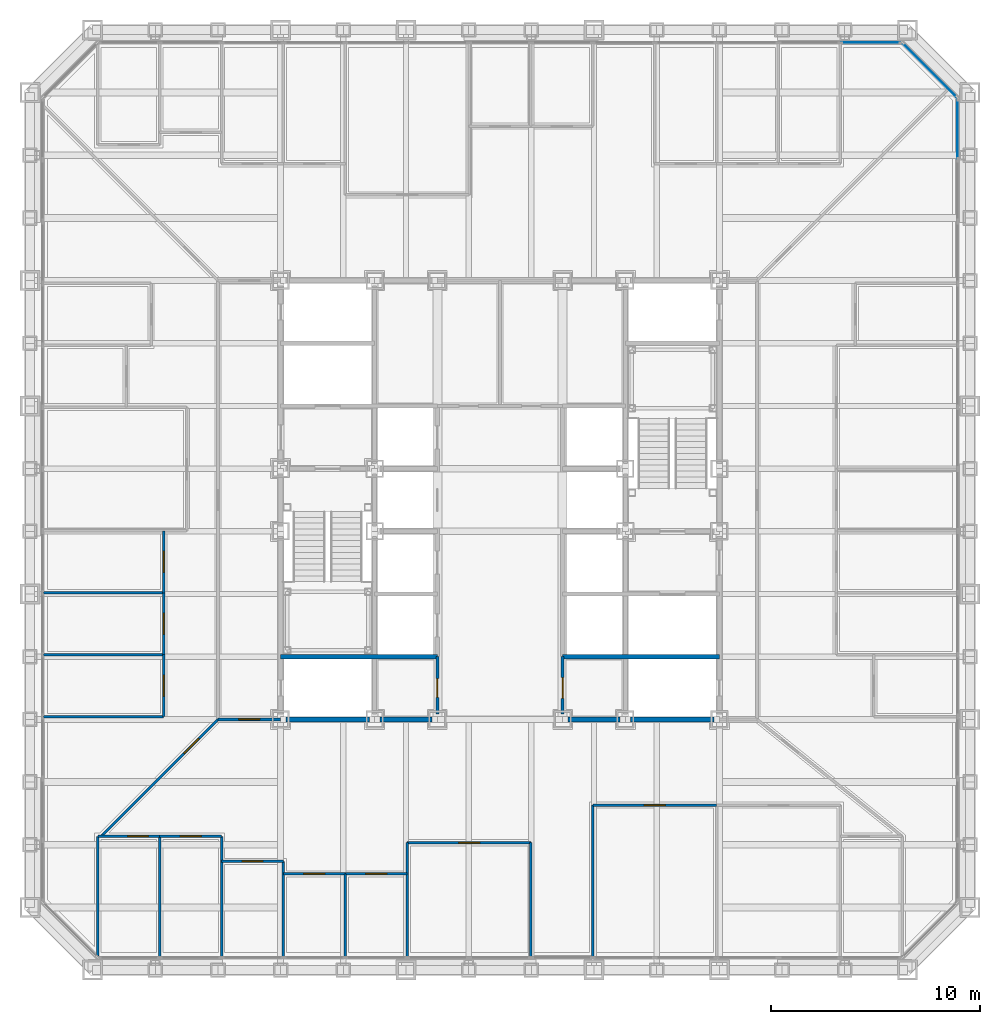
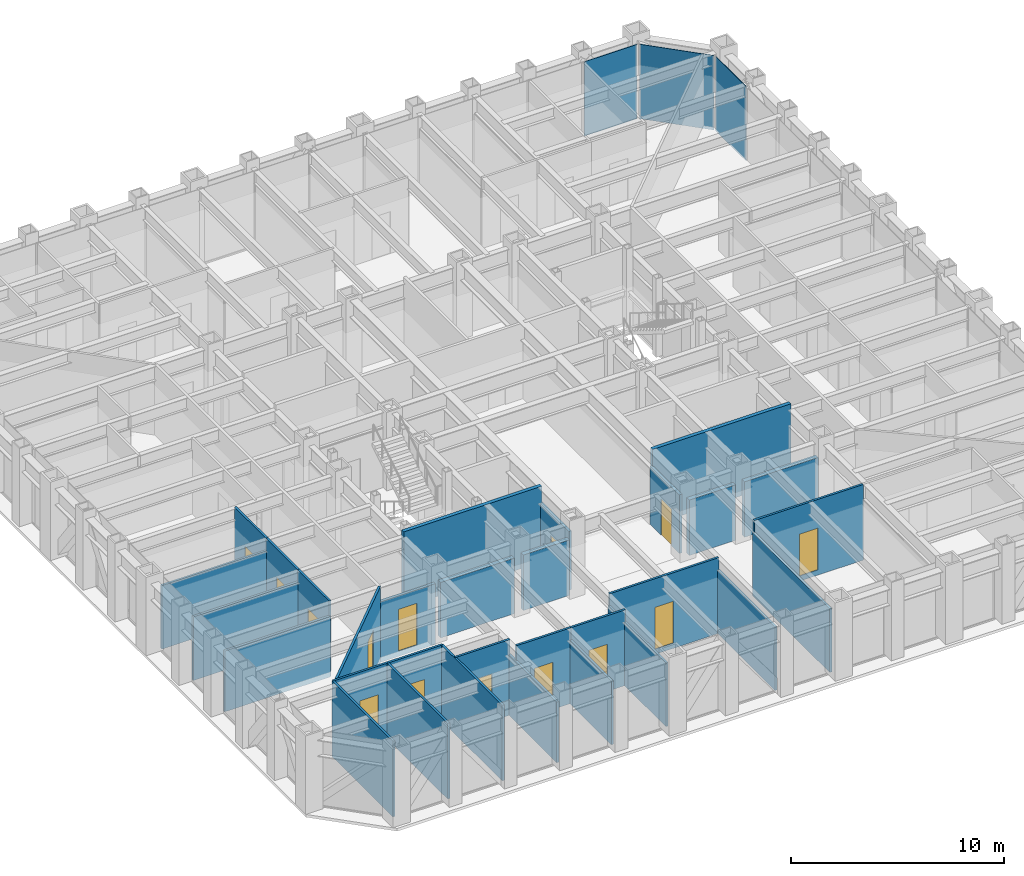
# One storey, part 8 of 17: 31 walls, 14 doors, 3 plates, 14 openings, 3 elements without a shape of their own.
"""IFC4 building model written with IfcOpenShell, lengths in metres."""

from ifc_helpers import new_model, si_unit, direction, frame, frame_2d, origin, origin_2d, place, context, subcontext, project, spatial, rectangle, extrude, material, layer, layer_set, type_object, element, fill, aggregate, save


model = new_model("IFC4")

# Units and contexts
model_context = context("Model", 3, precision=1e-05, world=origin(), true_north=direction((0.0, 1.0)))
body_context = subcontext(model_context, "Body", "Model", "MODEL_VIEW")
ifc_project = project(units=[si_unit("LENGTHUNIT", "METRE"), si_unit("AREAUNIT", "SQUARE_METRE"), si_unit("VOLUMEUNIT", "CUBIC_METRE"), si_unit("PLANEANGLEUNIT", "RADIAN"), si_unit("MASSUNIT", "GRAM", prefix="KILO")], contexts=[model_context])

# Site, building, storey
site_placement = place(None, origin())
site = spatial("IfcSite", under=ifc_project, at=site_placement, CompositionType="ELEMENT")
building_placement = place(site_placement, origin())
building = spatial("IfcBuilding", under=site, at=building_placement, Name="Chuquiago Exchange Tower", CompositionType="ELEMENT")
storey_placement = place(building_placement, frame((0.0, 0.0, 37.800048828125)))
storey = spatial("IfcBuildingStorey", under=building, at=storey_placement, Name="L07", CompositionType="ELEMENT", Elevation=37.800048828125)

# Curtain wall, plate
ifc_material_1 = material(Name="Aluminium curtain wall system", Category="aluminium")
ifc_layer_1 = layer(ifc_material_1, 0.25)
ifc_layer_set_1 = layer_set([ifc_layer_1], Name="CW1 trading floor curtain wall")
curtain_wall_type_1 = type_object("IfcCurtainWallType", Name="CW1 trading floor curtain wall", PredefinedType="NOTDEFINED", material=ifc_layer_set_1)
curtain_wall_1_placement = place(storey_placement, origin())
curtain_wall_1 = element("IfcCurtainWall", 1, at=curtain_wall_1_placement, inside=storey, type_object=curtain_wall_type_1, Name="CW1 curtain wall L07", PredefinedType="NOTDEFINED")
ifc_material_2 = material(Name="Insulated spandrel panel, pale anodised aluminium", Category="aluminium")
ifc_layer_2 = layer(ifc_material_2, 0.031982421875)
ifc_layer_set_2 = layer_set([ifc_layer_2], Name="CW1-P spandrel panel 32")
plate_type_1 = type_object("IfcPlateType", Name="CW1-P spandrel panel 32", PredefinedType="CURTAIN_PANEL", material=ifc_layer_set_2)
plate_1_placement = place(storey_placement, frame((44.39990234375, 40.251953125, -0.22509765625), z_axis=(0.0, 0.0, 1.0), x_axis=(0.0, 1.0, 0.0)))
plate_1 = element("IfcPlate", 2, at=plate_1_placement, type_object=plate_type_1, Name="CW1 panel 13.1", PredefinedType="CURTAIN_PANEL", context=body_context, shape_type="SweptSolid", body=[
    extrude(rectangle(XDim=2.849365234375, YDim=0.031982421875, at=origin_2d()), origin(), (0.0, 0.0, 1.0), 4.264892578125),
])
aggregate(curtain_wall_1, [plate_1])

curtain_wall_2_placement = place(storey_placement, origin())
curtain_wall_2 = element("IfcCurtainWall", 3, at=curtain_wall_2_placement, inside=storey, type_object=curtain_wall_type_1, Name="CW1 curtain wall L07", PredefinedType="NOTDEFINED")
plate_2_placement = place(storey_placement, frame((40.251953125, 44.39990234375, -0.22509765625), z_axis=(0.0, 0.0, 1.0), x_axis=(-1.0, 0.0, 0.0)))
plate_2 = element("IfcPlate", 4, at=plate_2_placement, type_object=plate_type_1, Name="CW1 panel 1.1", PredefinedType="CURTAIN_PANEL", context=body_context, shape_type="SweptSolid", body=[
    extrude(rectangle(XDim=2.849365234375, YDim=0.031982421875, at=origin_2d()), origin(), (0.0, 0.0, 1.0), 4.264892578125),
])
aggregate(curtain_wall_2, [plate_2])

ifc_material_3 = material(Name="Aluminium curtain wall system", Category="aluminium")
ifc_layer_3 = layer(ifc_material_3, 0.199951171875)
ifc_layer_set_3 = layer_set([ifc_layer_3], Name="CW3 facet curtain wall")
curtain_wall_type_2 = type_object("IfcCurtainWallType", Name="CW3 facet curtain wall", PredefinedType="NOTDEFINED", material=ifc_layer_set_3)
curtain_wall_3_placement = place(storey_placement, origin())
curtain_wall_3 = element("IfcCurtainWall", 5, at=curtain_wall_3_placement, inside=storey, type_object=curtain_wall_type_2, Name="CW3 curtain wall L07", PredefinedType="NOTDEFINED")
ifc_material_4 = material(Name="Insulated spandrel panel, pale anodised aluminium", Category="aluminium")
ifc_layer_4 = layer(ifc_material_4, 0.030029296875)
ifc_layer_set_4 = layer_set([ifc_layer_4], Name="CW3-P spandrel panel 30")
plate_type_2 = type_object("IfcPlateType", Name="CW3-P spandrel panel 30", PredefinedType="CURTAIN_PANEL", material=ifc_layer_set_4)
plate_3_placement = place(storey_placement, frame((43.07568359375, 43.07568359375, -0.235107421875), z_axis=(0.0, 0.0, 1.0), x_axis=(-0.707106781187, 0.707106781187, 0.0)))
plate_3 = element("IfcPlate", 6, at=plate_3_placement, type_object=plate_type_2, Name="CW3 panel 1.1", PredefinedType="CURTAIN_PANEL", context=body_context, shape_type="SweptSolid", body=[
    extrude(rectangle(XDim=3.615478515625, YDim=0.030029296875, at=origin_2d()), origin(), (0.0, 0.0, 1.0), 4.27490234375),
])
aggregate(curtain_wall_3, [plate_3])

# Walls
ifc_material_5 = material(Name="Concrete masonry, fully grouted", Category="masonry")
ifc_layer_5 = layer(ifc_material_5, 0.25)
ifc_layer_set_5 = layer_set([ifc_layer_5], Name="W1 core wall 250")
wall_type_1 = type_object("IfcWallType", Name="W1 core wall 250", PredefinedType="SOLIDWALL", material=ifc_layer_set_5)
wall_1_placement = place(storey_placement, frame((12.25, 12.0, 0.0), z_axis=(0.0, 0.0, 1.0), x_axis=(1.0, 0.0, 0.0)))
element("IfcWall", 7, at=wall_1_placement, inside=storey, type_object=wall_type_1, Name="CW-L07-01-0", PredefinedType="SOLIDWALL", context=body_context, shape_type="SweptSolid", body=[
    extrude(rectangle(XDim=4.0, YDim=0.25, at=frame_2d((2.0, 0.0))), origin(), (0.0, 0.0, 1.0), 3.181396484375),
])
for number, where, z_axis, x_axis, name in (
    (8, (16.75, 12.0, 0.0), (0.0, 0.0, 1.0), (1.0, 0.0, 0.0), "CW-L07-01-1"),
    (9, (25.75, 12.0, 0.0), (0.0, 0.0, 1.0), (1.0, 0.0, 0.0), "CW-L07-02-0"),
):
    element("IfcWall", number, at=place(storey_placement, frame(where, z_axis=z_axis, x_axis=x_axis)), inside=storey, type_object=wall_type_1, Name=name, PredefinedType="SOLIDWALL", context=body_context, shape_type="SweptSolid", body=[
        extrude(rectangle(XDim=2.5, YDim=0.25, at=frame_2d((1.25, 0.0))), origin(), (0.0, 0.0, 1.0), 3.181396484375),
    ])
wall_2_placement = place(storey_placement, frame((28.75, 12.0, 0.0), z_axis=(0.0, 0.0, 1.0), x_axis=(1.0, 0.0, 0.0)))
element("IfcWall", 10, at=wall_2_placement, inside=storey, type_object=wall_type_1, Name="CW-L07-02-1", PredefinedType="SOLIDWALL", context=body_context, shape_type="SweptSolid", body=[
    extrude(rectangle(XDim=4.0, YDim=0.25, at=frame_2d((2.0, 0.0))), origin(), (0.0, 0.0, 1.0), 3.181396484375),
])

# Wall, opening, door
ifc_material_6 = material(Name="Gypsum board on steel studs, acoustic insulation", Category="steel")
ifc_layer_6 = layer(ifc_material_6, 0.14990234375)
ifc_layer_set_6 = layer_set([ifc_layer_6], Name="W11 corridor wall 150")
wall_type_2 = type_object("IfcWallType", Name="W11 corridor wall 150", PredefinedType="PARTITIONING", material=ifc_layer_set_6)
wall_3_placement = place(storey_placement, frame((9.0, 12.0, -0.300048828125), z_axis=(0.0, 0.0, 1.0), x_axis=(1.0, 0.0, 0.0)))
wall_3 = element("IfcWall", 11, at=wall_3_placement, inside=storey, type_object=wall_type_2, Name="PW-L07-GWS0", PredefinedType="PARTITIONING", context=body_context, shape_type="SweptSolid", body=[
    extrude(rectangle(XDim=3.0, YDim=0.14990234375, at=frame_2d((1.5, 0.0))), origin(), (0.0, 0.0, 1.0), 3.4814453125),
])
opening_1_placement = place(wall_3_placement, frame((1.0, 0.0, 0.300048828125)))
opening_1 = element("IfcOpeningElement", 12, at=opening_1_placement, cuts=wall_3, Name="Opening L07-052", PredefinedType="OPENING", context=body_context, shape_type="SweptSolid", body=[
    extrude(rectangle(XDim=1.0, YDim=2.39990234375, at=frame_2d((0.5, 1.199951171875))), frame((0.0, 0.0849609375, 0.0), z_axis=(0.0, -1.0, 0.0), x_axis=(1.0, 0.0, 0.0)), (0.0, 0.0, 1.0), 0.169921875),
])
ifc_material_7 = material(Name="Timber door, laminate faced", Category="wood")
door_type_1 = type_object("IfcDoorType", Name="D9 room door 1000x2400", OperationType="SINGLE_SWING_LEFT", PredefinedType="DOOR", material=ifc_material_7)
door_1_placement = place(opening_1_placement, origin())
door_1 = element("IfcDoor", 13, at=door_1_placement, inside=storey, type_object=door_type_1, Name="Team area door", OperationType="SINGLE_SWING_RIGHT", OverallHeight=2.39990234375, OverallWidth=1.0, PredefinedType="DOOR", context=body_context, shape_type="SweptSolid", body=[
    extrude(rectangle(XDim=1.0, YDim=2.39990234375, at=frame_2d((0.5, 1.199951171875))), frame((0.0, 0.02490234375, 0.0), z_axis=(0.0, -1.0, 0.0), x_axis=(1.0, 0.0, 0.0)), (0.0, 0.0, 1.0), 0.050048828125),
])
fill(opening_1, door_1)

# Walls
ifc_material_8 = material(Name="Concrete masonry, fully grouted", Category="masonry")
ifc_layer_7 = layer(ifc_material_8, 0.199951171875)
ifc_layer_set_7 = layer_set([ifc_layer_7], Name="W2 shaft wall 200")
wall_type_3 = type_object("IfcWallType", Name="W2 shaft wall 200", PredefinedType="SOLIDWALL", material=ifc_layer_set_7)
for number, where, z_axis, x_axis, name in (
    (14, (12.0, 15.0, 0.0), (0.0, 0.0, 1.0), (1.0, 0.0, 0.0), "CW-L07-03-0"),
    (15, (25.5, 15.0, 0.0), (0.0, 0.0, 1.0), (1.0, 0.0, 0.0), "CW-L07-04-0"),
):
    element("IfcWall", number, at=place(storey_placement, frame(where, z_axis=z_axis, x_axis=x_axis)), inside=storey, type_object=wall_type_3, Name=name, PredefinedType="SOLIDWALL", context=body_context, shape_type="SweptSolid", body=[
        extrude(rectangle(XDim=7.5, YDim=0.199951171875, at=frame_2d((3.75, 0.0))), origin(), (0.0, 0.0, 1.0), 4.33984375),
    ])

# Wall, opening, door
ifc_material_9 = material(Name="Gypsum board on steel studs", Category="steel")
ifc_layer_8 = layer(ifc_material_9, 0.14990234375)
ifc_layer_set_8 = layer_set([ifc_layer_8], Name="W3 core partition 150")
wall_type_4 = type_object("IfcWallType", Name="W3 core partition 150", PredefinedType="PARTITIONING", material=ifc_layer_set_8)
wall_4_placement = place(storey_placement, frame((19.5, 12.25, 0.0), z_axis=(0.0, 0.0, 1.0), x_axis=(0.0, 1.0, 0.0)))
wall_4 = element("IfcWall", 16, at=wall_4_placement, inside=storey, type_object=wall_type_4, Name="CW-L07-18-0", PredefinedType="PARTITIONING", context=body_context, shape_type="SweptSolid", body=[
    extrude(rectangle(XDim=2.75, YDim=0.14990234375, at=frame_2d((1.375, 0.0))), origin(), (0.0, 0.0, 1.0), 3.364501953125),
])
opening_2_placement = place(wall_4_placement, frame((0.800048828125, 0.0, 0.0)))
opening_2 = element("IfcOpeningElement", 17, at=opening_2_placement, cuts=wall_4, Name="Opening L07-014", PredefinedType="OPENING", context=body_context, shape_type="SweptSolid", body=[
    extrude(rectangle(XDim=0.89990234375, YDim=2.10009765625, at=frame_2d((0.449951171875, 1.050048828125))), frame((0.0, 0.0849609375, 0.0), z_axis=(0.0, -1.0, 0.0), x_axis=(1.0, 0.0, 0.0)), (0.0, 0.0, 1.0), 0.169921875),
])
ifc_material_10 = material(Name="Timber door, laminate faced", Category="wood")
door_type_2 = type_object("IfcDoorType", Name="D7 toilet door 900x2100", OperationType="SINGLE_SWING_LEFT", PredefinedType="DOOR", material=ifc_material_10)
door_2_placement = place(opening_2_placement, frame((0.89990234375, 0.0, 0.0), z_axis=(0.0, 0.0, 1.0), x_axis=(-1.0, 0.0, 0.0)))
door_2 = element("IfcDoor", 18, at=door_2_placement, inside=storey, type_object=door_type_2, Name="Cleaner door", OperationType="SINGLE_SWING_RIGHT", OverallHeight=2.10009765625, OverallWidth=0.89990234375, PredefinedType="DOOR", context=body_context, shape_type="SweptSolid", body=[
    extrude(rectangle(XDim=0.89990234375, YDim=2.10009765625, at=frame_2d((0.449951171875, 1.050048828125))), frame((0.0, 0.02490234375, 0.0), z_axis=(0.0, -1.0, 0.0), x_axis=(1.0, 0.0, 0.0)), (0.0, 0.0, 1.0), 0.050048828125),
])
fill(opening_2, door_2)

wall_5_placement = place(storey_placement, frame((25.5, 12.25, 0.0), z_axis=(0.0, 0.0, 1.0), x_axis=(0.0, 1.0, 0.0)))
wall_5 = element("IfcWall", 19, at=wall_5_placement, inside=storey, type_object=wall_type_4, Name="CW-L07-21-0", PredefinedType="PARTITIONING", context=body_context, shape_type="SweptSolid", body=[
    extrude(rectangle(XDim=2.75, YDim=0.14990234375, at=frame_2d((1.375, 0.0))), origin(), (0.0, 0.0, 1.0), 3.364501953125),
])
opening_3_placement = place(wall_5_placement, frame((0.75, 0.0, 0.0)))
opening_3 = element("IfcOpeningElement", 20, at=opening_3_placement, cuts=wall_5, Name="Opening L07-013", PredefinedType="OPENING", context=body_context, shape_type="SweptSolid", body=[
    extrude(rectangle(XDim=1.0, YDim=2.10009765625, at=frame_2d((0.5, 1.050048828125))), frame((0.0, 0.0849609375, 0.0), z_axis=(0.0, -1.0, 0.0), x_axis=(1.0, 0.0, 0.0)), (0.0, 0.0, 1.0), 0.169921875),
])
ifc_material_11 = material(Name="Timber door, laminate faced", Category="wood")
door_type_3 = type_object("IfcDoorType", Name="D8 accessible toilet door 1000x2100", OperationType="SLIDING_TO_LEFT", PredefinedType="DOOR", material=ifc_material_11)
door_3_placement = place(opening_3_placement, origin())
door_3 = element("IfcDoor", 21, at=door_3_placement, inside=storey, type_object=door_type_3, Name="Accessible WC door", OperationType="SLIDING_TO_LEFT", OverallHeight=2.10009765625, OverallWidth=1.0, PredefinedType="DOOR", context=body_context, shape_type="SweptSolid", body=[
    extrude(rectangle(XDim=1.0, YDim=2.10009765625, at=frame_2d((0.5, 1.050048828125))), frame((0.0, 0.02490234375, 0.0), z_axis=(0.0, -1.0, 0.0), x_axis=(1.0, 0.0, 0.0)), (0.0, 0.0, 1.0), 0.050048828125),
])
fill(opening_3, door_3)

# Walls
ifc_material_12 = material(Name="Gypsum board on steel studs", Category="steel")
ifc_layer_9 = layer(ifc_material_12, 0.1201171875)
ifc_layer_set_9 = layer_set([ifc_layer_9], Name="W4 partition 120")
wall_type_5 = type_object("IfcWallType", Name="W4 partition 120", PredefinedType="PARTITIONING", material=ifc_layer_set_9)
wall_6_placement = place(storey_placement, frame((3.24853515625, 0.666015625, -0.300048828125), z_axis=(0.0, 0.0, 1.0), x_axis=(0.0, 1.0, 0.0)))
element("IfcWall", 22, at=wall_6_placement, inside=storey, type_object=wall_type_5, Name="PW-L07-S00325", PredefinedType="PARTITIONING", context=body_context, shape_type="SweptSolid", body=[
    extrude(rectangle(XDim=5.73388671875, YDim=0.1201171875, at=frame_2d((2.866943359375, 0.0))), origin(), (0.0, 0.0, 1.0), 4.340087890625),
])
for number, where, z_axis, x_axis, name in (
    (23, (6.210205078125, 0.657470703125, -0.300048828125), (0.0, 0.0, 1.0), (0.0, 1.0, 0.0), "PW-L07-S00621"),
    (24, (9.172119140625, 0.657470703125, -0.300048828125), (0.0, 0.0, 1.0), (0.0, 1.0, 0.0), "PW-L07-S00917"),
):
    element("IfcWall", number, at=place(storey_placement, frame(where, z_axis=z_axis, x_axis=x_axis)), inside=storey, type_object=wall_type_5, Name=name, PredefinedType="PARTITIONING", context=body_context, shape_type="SweptSolid", body=[
        extrude(rectangle(XDim=5.742431640625, YDim=0.1201171875, at=frame_2d((2.87109375, 0.0))), origin(), (0.0, 0.0, 1.0), 4.340087890625),
    ])
wall_7_placement = place(storey_placement, frame((12.1337890625, 0.657470703125, -0.300048828125), z_axis=(0.0, 0.0, 1.0), x_axis=(0.0, 1.0, 0.0)))
element("IfcWall", 25, at=wall_7_placement, inside=storey, type_object=wall_type_5, Name="PW-L07-S01213", PredefinedType="PARTITIONING", context=body_context, shape_type="SweptSolid", body=[
    extrude(rectangle(XDim=4.54248046875, YDim=0.1201171875, at=frame_2d((2.271240234375, 0.0))), origin(), (0.0, 0.0, 1.0), 3.4814453125),
])
wall_8_placement = place(storey_placement, frame((15.095703125, 0.657470703125, -0.300048828125), z_axis=(0.0, 0.0, 1.0), x_axis=(0.0, 1.0, 0.0)))
element("IfcWall", 26, at=wall_8_placement, inside=storey, type_object=wall_type_5, Name="PW-L07-S01510", PredefinedType="PARTITIONING", context=body_context, shape_type="SweptSolid", body=[
    extrude(rectangle(XDim=3.942626953125, YDim=0.1201171875, at=frame_2d((1.97119140625, 0.0))), origin(), (0.0, 0.0, 1.0), 3.646484375),
])
for number, where, z_axis, x_axis, name in (
    (27, (18.057373046875, 0.657470703125, -0.300048828125), (0.0, 0.0, 1.0), (0.0, 1.0, 0.0), "PW-L07-S01806"),
    (28, (23.98095703125, 0.657470703125, -0.300048828125), (0.0, 0.0, 1.0), (0.0, 1.0, 0.0), "PW-L07-S02398"),
):
    element("IfcWall", number, at=place(storey_placement, frame(where, z_axis=z_axis, x_axis=x_axis)), inside=storey, type_object=wall_type_5, Name=name, PredefinedType="PARTITIONING", context=body_context, shape_type="SweptSolid", body=[
        extrude(rectangle(XDim=5.442626953125, YDim=0.1201171875, at=frame_2d((2.72119140625, 0.0))), origin(), (0.0, 0.0, 1.0), 3.646484375),
    ])
wall_9_placement = place(storey_placement, frame((26.942626953125, 0.657470703125, -0.300048828125), z_axis=(0.0, 0.0, 1.0), x_axis=(0.0, 1.0, 0.0)))
element("IfcWall", 29, at=wall_9_placement, inside=storey, type_object=wall_type_5, Name="PW-L07-S02694", PredefinedType="PARTITIONING", context=body_context, shape_type="SweptSolid", body=[
    extrude(rectangle(XDim=7.242431640625, YDim=0.1201171875, at=frame_2d((3.62109375, 0.0))), origin(), (0.0, 0.0, 1.0), 3.646484375),
])

# Wall, opening, door
wall_10_placement = place(storey_placement, frame((3.24853515625, 6.39990234375, -0.300048828125), z_axis=(0.0, 0.0, 1.0), x_axis=(1.0, 0.0, 0.0)))
wall_10 = element("IfcWall", 30, at=wall_10_placement, inside=storey, type_object=wall_type_5, Name="PW-L07-SF00325", PredefinedType="PARTITIONING", context=body_context, shape_type="SweptSolid", body=[
    extrude(rectangle(XDim=2.961669921875, YDim=0.1201171875, at=frame_2d((1.48095703125, 0.0))), origin(), (0.0, 0.0, 1.0), 4.340087890625),
])
opening_4_placement = place(wall_10_placement, frame((1.42529296875, 0.0, 0.300048828125)))
opening_4 = element("IfcOpeningElement", 31, at=opening_4_placement, cuts=wall_10, Name="Opening L07-019", PredefinedType="OPENING", context=body_context, shape_type="SweptSolid", body=[
    extrude(rectangle(XDim=1.0, YDim=2.39990234375, at=frame_2d((0.5, 1.199951171875))), frame((0.0, 0.070068359375, 0.0), z_axis=(0.0, -1.0, 0.0), x_axis=(1.0, 0.0, 0.0)), (0.0, 0.0, 1.0), 0.14013671875),
])
door_4_placement = place(opening_4_placement, frame((1.0, 0.0, 0.0), z_axis=(0.0, 0.0, 1.0), x_axis=(-1.0, 0.0, 0.0)))
door_4 = element("IfcDoor", 32, at=door_4_placement, inside=storey, type_object=door_type_1, Name="Office door", OperationType="SINGLE_SWING_LEFT", OverallHeight=2.39990234375, OverallWidth=1.0, PredefinedType="DOOR", context=body_context, shape_type="SweptSolid", body=[
    extrude(rectangle(XDim=1.0, YDim=2.39990234375, at=frame_2d((0.5, 1.199951171875))), frame((0.0, 0.02490234375, 0.0), z_axis=(0.0, -1.0, 0.0), x_axis=(1.0, 0.0, 0.0)), (0.0, 0.0, 1.0), 0.050048828125),
])
fill(opening_4, door_4)

wall_11_placement = place(storey_placement, frame((6.210205078125, 6.39990234375, -0.300048828125), z_axis=(0.0, 0.0, 1.0), x_axis=(1.0, 0.0, 0.0)))
wall_11 = element("IfcWall", 33, at=wall_11_placement, inside=storey, type_object=wall_type_5, Name="PW-L07-SF00621", PredefinedType="PARTITIONING", context=body_context, shape_type="SweptSolid", body=[
    extrude(rectangle(XDim=2.9619140625, YDim=0.1201171875, at=frame_2d((1.48095703125, 0.0))), origin(), (0.0, 0.0, 1.0), 4.340087890625),
])
opening_5_placement = place(wall_11_placement, frame((0.98095703125, 0.0, 0.300048828125)))
opening_5 = element("IfcOpeningElement", 34, at=opening_5_placement, cuts=wall_11, Name="Opening L07-020", PredefinedType="OPENING", context=body_context, shape_type="SweptSolid", body=[
    extrude(rectangle(XDim=1.0, YDim=2.39990234375, at=frame_2d((0.5, 1.199951171875))), frame((0.0, 0.070068359375, 0.0), z_axis=(0.0, -1.0, 0.0), x_axis=(1.0, 0.0, 0.0)), (0.0, 0.0, 1.0), 0.14013671875),
])
door_5_placement = place(opening_5_placement, frame((1.0, 0.0, 0.0), z_axis=(0.0, 0.0, 1.0), x_axis=(-1.0, 0.0, 0.0)))
door_5 = element("IfcDoor", 35, at=door_5_placement, inside=storey, type_object=door_type_1, Name="Office door", OperationType="SINGLE_SWING_RIGHT", OverallHeight=2.39990234375, OverallWidth=1.0, PredefinedType="DOOR", context=body_context, shape_type="SweptSolid", body=[
    extrude(rectangle(XDim=1.0, YDim=2.39990234375, at=frame_2d((0.5, 1.199951171875))), frame((0.0, 0.02490234375, 0.0), z_axis=(0.0, -1.0, 0.0), x_axis=(1.0, 0.0, 0.0)), (0.0, 0.0, 1.0), 0.050048828125),
])
fill(opening_5, door_5)

wall_12_placement = place(storey_placement, frame((9.172119140625, 5.199951171875, -0.300048828125), z_axis=(0.0, 0.0, 1.0), x_axis=(1.0, 0.0, 0.0)))
wall_12 = element("IfcWall", 36, at=wall_12_placement, inside=storey, type_object=wall_type_5, Name="PW-L07-SF00917", PredefinedType="PARTITIONING", context=body_context, shape_type="SweptSolid", body=[
    extrude(rectangle(XDim=2.961669921875, YDim=0.1201171875, at=frame_2d((1.48095703125, 0.0))), origin(), (0.0, 0.0, 1.0), 4.340087890625),
])
opening_6_placement = place(wall_12_placement, frame((0.98095703125, 0.0, 0.300048828125)))
opening_6 = element("IfcOpeningElement", 37, at=opening_6_placement, cuts=wall_12, Name="Opening L07-021", PredefinedType="OPENING", context=body_context, shape_type="SweptSolid", body=[
    extrude(rectangle(XDim=1.0, YDim=2.39990234375, at=frame_2d((0.5, 1.199951171875))), frame((0.0, 0.070068359375, 0.0), z_axis=(0.0, -1.0, 0.0), x_axis=(1.0, 0.0, 0.0)), (0.0, 0.0, 1.0), 0.14013671875),
])
door_6_placement = place(opening_6_placement, frame((1.0, 0.0, 0.0), z_axis=(0.0, 0.0, 1.0), x_axis=(-1.0, 0.0, 0.0)))
door_6 = element("IfcDoor", 38, at=door_6_placement, inside=storey, type_object=door_type_1, Name="Pantry door", OperationType="SINGLE_SWING_LEFT", OverallHeight=2.39990234375, OverallWidth=1.0, PredefinedType="DOOR", context=body_context, shape_type="SweptSolid", body=[
    extrude(rectangle(XDim=1.0, YDim=2.39990234375, at=frame_2d((0.5, 1.199951171875))), frame((0.0, 0.02490234375, 0.0), z_axis=(0.0, -1.0, 0.0), x_axis=(1.0, 0.0, 0.0)), (0.0, 0.0, 1.0), 0.050048828125),
])
fill(opening_6, door_6)

wall_13_placement = place(storey_placement, frame((12.1337890625, 4.60009765625, -0.300048828125), z_axis=(0.0, 0.0, 1.0), x_axis=(1.0, 0.0, 0.0)))
wall_13 = element("IfcWall", 39, at=wall_13_placement, inside=storey, type_object=wall_type_5, Name="PW-L07-SF01213", PredefinedType="PARTITIONING", context=body_context, shape_type="SweptSolid", body=[
    extrude(rectangle(XDim=2.9619140625, YDim=0.1201171875, at=frame_2d((1.48095703125, 0.0))), origin(), (0.0, 0.0, 1.0), 4.340087890625),
])
opening_7_placement = place(wall_13_placement, frame((0.98095703125, 0.0, 0.300048828125)))
opening_7 = element("IfcOpeningElement", 40, at=opening_7_placement, cuts=wall_13, Name="Opening L07-022", PredefinedType="OPENING", context=body_context, shape_type="SweptSolid", body=[
    extrude(rectangle(XDim=1.0, YDim=2.39990234375, at=frame_2d((0.5, 1.199951171875))), frame((0.0, 0.070068359375, 0.0), z_axis=(0.0, -1.0, 0.0), x_axis=(1.0, 0.0, 0.0)), (0.0, 0.0, 1.0), 0.14013671875),
])
ifc_material_13 = material(Name="Timber frame door, full height glazed panel", Category="wood")
door_type_4 = type_object("IfcDoorType", Name="D14 glazed meeting room door 1000x2400", OperationType="SINGLE_SWING_LEFT", PredefinedType="DOOR", material=ifc_material_13)
door_7_placement = place(opening_7_placement, frame((1.0, 0.0, 0.0), z_axis=(0.0, 0.0, 1.0), x_axis=(-1.0, 0.0, 0.0)))
door_7 = element("IfcDoor", 41, at=door_7_placement, inside=storey, type_object=door_type_4, Name="Focus room door", OperationType="SINGLE_SWING_LEFT", OverallHeight=2.39990234375, OverallWidth=1.0, PredefinedType="DOOR", context=body_context, shape_type="SweptSolid", body=[
    extrude(rectangle(XDim=1.0, YDim=2.39990234375, at=frame_2d((0.5, 1.199951171875))), frame((0.0, 0.02490234375, 0.0), z_axis=(0.0, -1.0, 0.0), x_axis=(1.0, 0.0, 0.0)), (0.0, 0.0, 1.0), 0.050048828125),
])
fill(opening_7, door_7)

wall_14_placement = place(storey_placement, frame((15.095703125, 4.60009765625, -0.300048828125), z_axis=(0.0, 0.0, 1.0), x_axis=(1.0, 0.0, 0.0)))
wall_14 = element("IfcWall", 42, at=wall_14_placement, inside=storey, type_object=wall_type_5, Name="PW-L07-SF01510", PredefinedType="PARTITIONING", context=body_context, shape_type="SweptSolid", body=[
    extrude(rectangle(XDim=2.961669921875, YDim=0.1201171875, at=frame_2d((1.48095703125, 0.0))), origin(), (0.0, 0.0, 1.0), 4.340087890625),
])
opening_8_placement = place(wall_14_placement, frame((0.98095703125, 0.0, 0.300048828125)))
opening_8 = element("IfcOpeningElement", 43, at=opening_8_placement, cuts=wall_14, Name="Opening L07-023", PredefinedType="OPENING", context=body_context, shape_type="SweptSolid", body=[
    extrude(rectangle(XDim=1.0, YDim=2.39990234375, at=frame_2d((0.5, 1.199951171875))), frame((0.0, 0.070068359375, 0.0), z_axis=(0.0, -1.0, 0.0), x_axis=(1.0, 0.0, 0.0)), (0.0, 0.0, 1.0), 0.14013671875),
])
door_8_placement = place(opening_8_placement, frame((1.0, 0.0, 0.0), z_axis=(0.0, 0.0, 1.0), x_axis=(-1.0, 0.0, 0.0)))
door_8 = element("IfcDoor", 44, at=door_8_placement, inside=storey, type_object=door_type_4, Name="Focus room door", OperationType="SINGLE_SWING_RIGHT", OverallHeight=2.39990234375, OverallWidth=1.0, PredefinedType="DOOR", context=body_context, shape_type="SweptSolid", body=[
    extrude(rectangle(XDim=1.0, YDim=2.39990234375, at=frame_2d((0.5, 1.199951171875))), frame((0.0, 0.02490234375, 0.0), z_axis=(0.0, -1.0, 0.0), x_axis=(1.0, 0.0, 0.0)), (0.0, 0.0, 1.0), 0.050048828125),
])
fill(opening_8, door_8)

wall_15_placement = place(storey_placement, frame((18.057373046875, 6.10009765625, -0.300048828125), z_axis=(0.0, 0.0, 1.0), x_axis=(1.0, 0.0, 0.0)))
wall_15 = element("IfcWall", 45, at=wall_15_placement, inside=storey, type_object=wall_type_5, Name="PW-L07-SF01806", PredefinedType="PARTITIONING", context=body_context, shape_type="SweptSolid", body=[
    extrude(rectangle(XDim=5.923583984375, YDim=0.1201171875, at=frame_2d((2.9619140625, 0.0))), origin(), (0.0, 0.0, 1.0), 4.340087890625),
])
opening_9_placement = place(wall_15_placement, frame((2.461669921875, 0.0, 0.300048828125)))
opening_9 = element("IfcOpeningElement", 46, at=opening_9_placement, cuts=wall_15, Name="Opening L07-024", PredefinedType="OPENING", context=body_context, shape_type="SweptSolid", body=[
    extrude(rectangle(XDim=1.0, YDim=2.39990234375, at=frame_2d((0.5, 1.199951171875))), frame((0.0, 0.070068359375, 0.0), z_axis=(0.0, -1.0, 0.0), x_axis=(1.0, 0.0, 0.0)), (0.0, 0.0, 1.0), 0.14013671875),
])
door_9_placement = place(opening_9_placement, frame((1.0, 0.0, 0.0), z_axis=(0.0, 0.0, 1.0), x_axis=(-1.0, 0.0, 0.0)))
door_9 = element("IfcDoor", 47, at=door_9_placement, inside=storey, type_object=door_type_4, Name="Meeting room door", OperationType="SINGLE_SWING_RIGHT", OverallHeight=2.39990234375, OverallWidth=1.0, PredefinedType="DOOR", context=body_context, shape_type="SweptSolid", body=[
    extrude(rectangle(XDim=1.0, YDim=2.39990234375, at=frame_2d((0.5, 1.199951171875))), frame((0.0, 0.02490234375, 0.0), z_axis=(0.0, -1.0, 0.0), x_axis=(1.0, 0.0, 0.0)), (0.0, 0.0, 1.0), 0.050048828125),
])
fill(opening_9, door_9)

wall_16_placement = place(storey_placement, frame((26.942626953125, 7.89990234375, -0.300048828125), z_axis=(0.0, 0.0, 1.0), x_axis=(1.0, 0.0, 0.0)))
wall_16 = element("IfcWall", 48, at=wall_16_placement, inside=storey, type_object=wall_type_5, Name="PW-L07-SF02694", PredefinedType="PARTITIONING", context=body_context, shape_type="SweptSolid", body=[
    extrude(rectangle(XDim=5.923583984375, YDim=0.1201171875, at=frame_2d((2.9619140625, 0.0))), origin(), (0.0, 0.0, 1.0), 4.340087890625),
])
opening_10_placement = place(wall_16_placement, frame((2.4619140625, 0.0, 0.300048828125)))
opening_10 = element("IfcOpeningElement", 49, at=opening_10_placement, cuts=wall_16, Name="Opening L07-025", PredefinedType="OPENING", context=body_context, shape_type="SweptSolid", body=[
    extrude(rectangle(XDim=1.0, YDim=2.39990234375, at=frame_2d((0.5, 1.199951171875))), frame((0.0, 0.070068359375, 0.0), z_axis=(0.0, -1.0, 0.0), x_axis=(1.0, 0.0, 0.0)), (0.0, 0.0, 1.0), 0.14013671875),
])
door_10_placement = place(opening_10_placement, frame((1.0, 0.0, 0.0), z_axis=(0.0, 0.0, 1.0), x_axis=(-1.0, 0.0, 0.0)))
door_10 = element("IfcDoor", 50, at=door_10_placement, inside=storey, type_object=door_type_1, Name="Risk management office door", OperationType="SINGLE_SWING_RIGHT", OverallHeight=2.39990234375, OverallWidth=1.0, PredefinedType="DOOR", context=body_context, shape_type="SweptSolid", body=[
    extrude(rectangle(XDim=1.0, YDim=2.39990234375, at=frame_2d((0.5, 1.199951171875))), frame((0.0, 0.02490234375, 0.0), z_axis=(0.0, -1.0, 0.0), x_axis=(1.0, 0.0, 0.0)), (0.0, 0.0, 1.0), 0.050048828125),
])
fill(opening_10, door_10)

# Walls
wall_17_placement = place(storey_placement, frame((0.657470703125, 12.1337890625, -0.300048828125), z_axis=(0.0, 0.0, 1.0), x_axis=(1.0, 0.0, 0.0)))
element("IfcWall", 51, at=wall_17_placement, inside=storey, type_object=wall_type_5, Name="PW-L07-W01213", PredefinedType="PARTITIONING", context=body_context, shape_type="SweptSolid", body=[
    extrude(rectangle(XDim=5.742431640625, YDim=0.1201171875, at=frame_2d((2.87109375, 0.0))), origin(), (0.0, 0.0, 1.0), 3.4814453125),
])
for number, where, z_axis, x_axis, name in (
    (52, (0.657470703125, 15.095703125, -0.300048828125), (0.0, 0.0, 1.0), (1.0, 0.0, 0.0), "PW-L07-W01510"),
    (53, (0.657470703125, 18.057373046875, -0.300048828125), (0.0, 0.0, 1.0), (1.0, 0.0, 0.0), "PW-L07-W01806"),
):
    element("IfcWall", number, at=place(storey_placement, frame(where, z_axis=z_axis, x_axis=x_axis)), inside=storey, type_object=wall_type_5, Name=name, PredefinedType="PARTITIONING", context=body_context, shape_type="SweptSolid", body=[
        extrude(rectangle(XDim=5.742431640625, YDim=0.1201171875, at=frame_2d((2.87109375, 0.0))), origin(), (0.0, 0.0, 1.0), 3.646484375),
    ])

# Wall, opening, door
wall_18_placement = place(storey_placement, frame((6.39990234375, 12.1337890625, -0.300048828125), z_axis=(0.0, 0.0, 1.0), x_axis=(0.0, 1.0, 0.0)))
wall_18 = element("IfcWall", 54, at=wall_18_placement, inside=storey, type_object=wall_type_5, Name="PW-L07-WF01213", PredefinedType="PARTITIONING", context=body_context, shape_type="SweptSolid", body=[
    extrude(rectangle(XDim=2.9619140625, YDim=0.1201171875, at=frame_2d((1.48095703125, 0.0))), origin(), (0.0, 0.0, 1.0), 4.340087890625),
])
opening_11_placement = place(wall_18_placement, frame((0.98095703125, 0.0, 0.300048828125)))
opening_11 = element("IfcOpeningElement", 55, at=opening_11_placement, cuts=wall_18, Name="Opening L07-044", PredefinedType="OPENING", context=body_context, shape_type="SweptSolid", body=[
    extrude(rectangle(XDim=1.0, YDim=2.39990234375, at=frame_2d((0.5, 1.199951171875))), frame((0.0, 0.070068359375, 0.0), z_axis=(0.0, -1.0, 0.0), x_axis=(1.0, 0.0, 0.0)), (0.0, 0.0, 1.0), 0.14013671875),
])
door_11_placement = place(opening_11_placement, origin())
door_11 = element("IfcDoor", 56, at=door_11_placement, inside=storey, type_object=door_type_4, Name="Meeting room door", OperationType="SINGLE_SWING_RIGHT", OverallHeight=2.39990234375, OverallWidth=1.0, PredefinedType="DOOR", context=body_context, shape_type="SweptSolid", body=[
    extrude(rectangle(XDim=1.0, YDim=2.39990234375, at=frame_2d((0.5, 1.199951171875))), frame((0.0, 0.02490234375, 0.0), z_axis=(0.0, -1.0, 0.0), x_axis=(1.0, 0.0, 0.0)), (0.0, 0.0, 1.0), 0.050048828125),
])
fill(opening_11, door_11)

wall_19_placement = place(storey_placement, frame((6.39990234375, 15.095703125, -0.300048828125), z_axis=(0.0, 0.0, 1.0), x_axis=(0.0, 1.0, 0.0)))
wall_19 = element("IfcWall", 57, at=wall_19_placement, inside=storey, type_object=wall_type_5, Name="PW-L07-WF01510", PredefinedType="PARTITIONING", context=body_context, shape_type="SweptSolid", body=[
    extrude(rectangle(XDim=2.961669921875, YDim=0.1201171875, at=frame_2d((1.48095703125, 0.0))), origin(), (0.0, 0.0, 1.0), 4.340087890625),
])
opening_12_placement = place(wall_19_placement, frame((0.98095703125, 0.0, 0.300048828125)))
opening_12 = element("IfcOpeningElement", 58, at=opening_12_placement, cuts=wall_19, Name="Opening L07-045", PredefinedType="OPENING", context=body_context, shape_type="SweptSolid", body=[
    extrude(rectangle(XDim=1.0, YDim=2.39990234375, at=frame_2d((0.5, 1.199951171875))), frame((0.0, 0.070068359375, 0.0), z_axis=(0.0, -1.0, 0.0), x_axis=(1.0, 0.0, 0.0)), (0.0, 0.0, 1.0), 0.14013671875),
])
door_12_placement = place(opening_12_placement, origin())
door_12 = element("IfcDoor", 59, at=door_12_placement, inside=storey, type_object=door_type_4, Name="Meeting room door", OperationType="SINGLE_SWING_LEFT", OverallHeight=2.39990234375, OverallWidth=1.0, PredefinedType="DOOR", context=body_context, shape_type="SweptSolid", body=[
    extrude(rectangle(XDim=1.0, YDim=2.39990234375, at=frame_2d((0.5, 1.199951171875))), frame((0.0, 0.02490234375, 0.0), z_axis=(0.0, -1.0, 0.0), x_axis=(1.0, 0.0, 0.0)), (0.0, 0.0, 1.0), 0.050048828125),
])
fill(opening_12, door_12)

wall_20_placement = place(storey_placement, frame((6.39990234375, 18.057373046875, -0.300048828125), z_axis=(0.0, 0.0, 1.0), x_axis=(0.0, 1.0, 0.0)))
wall_20 = element("IfcWall", 60, at=wall_20_placement, inside=storey, type_object=wall_type_5, Name="PW-L07-WF01806", PredefinedType="PARTITIONING", context=body_context, shape_type="SweptSolid", body=[
    extrude(rectangle(XDim=2.961669921875, YDim=0.1201171875, at=frame_2d((1.48095703125, 0.0))), origin(), (0.0, 0.0, 1.0), 4.340087890625),
])
opening_13_placement = place(wall_20_placement, frame((0.98095703125, 0.0, 0.300048828125)))
opening_13 = element("IfcOpeningElement", 61, at=opening_13_placement, cuts=wall_20, Name="Opening L07-046", PredefinedType="OPENING", context=body_context, shape_type="SweptSolid", body=[
    extrude(rectangle(XDim=1.0, YDim=2.39990234375, at=frame_2d((0.5, 1.199951171875))), frame((0.0, 0.070068359375, 0.0), z_axis=(0.0, -1.0, 0.0), x_axis=(1.0, 0.0, 0.0)), (0.0, 0.0, 1.0), 0.14013671875),
])
door_13_placement = place(opening_13_placement, origin())
door_13 = element("IfcDoor", 62, at=door_13_placement, inside=storey, type_object=door_type_4, Name="Meeting room door", OperationType="SINGLE_SWING_RIGHT", OverallHeight=2.39990234375, OverallWidth=1.0, PredefinedType="DOOR", context=body_context, shape_type="SweptSolid", body=[
    extrude(rectangle(XDim=1.0, YDim=2.39990234375, at=frame_2d((0.5, 1.199951171875))), frame((0.0, 0.02490234375, 0.0), z_axis=(0.0, -1.0, 0.0), x_axis=(1.0, 0.0, 0.0)), (0.0, 0.0, 1.0), 0.050048828125),
])
fill(opening_13, door_13)

wall_21_placement = place(storey_placement, frame((9.0, 12.0, -0.300048828125), z_axis=(0.0, 0.0, 1.0), x_axis=(-0.707106781187, -0.707106781187, 0.0)))
wall_21 = element("IfcWall", 63, at=wall_21_placement, inside=storey, type_object=wall_type_5, Name="PW-L07-QSW", PredefinedType="PARTITIONING", context=body_context, shape_type="SweptSolid", body=[
    extrude(rectangle(XDim=7.921142578125, YDim=0.1201171875, at=frame_2d((3.96044921875, 0.0))), origin(), (0.0, 0.0, 1.0), 4.340087890625),
])
opening_14_placement = place(wall_21_placement, frame((1.300048828125, 0.0, 0.300048828125)))
opening_14 = element("IfcOpeningElement", 64, at=opening_14_placement, cuts=wall_21, Name="Opening L07-056", PredefinedType="OPENING", context=body_context, shape_type="SweptSolid", body=[
    extrude(rectangle(XDim=1.0, YDim=2.39990234375, at=frame_2d((0.5, 1.199951171875))), frame((0.0, 0.070068359375, 0.0), z_axis=(0.0, -1.0, 0.0), x_axis=(1.0, 0.0, 0.0)), (0.0, 0.0, 1.0), 0.14013671875),
])
door_14_placement = place(opening_14_placement, frame((1.0, 0.0, 0.0), z_axis=(0.0, 0.0, 1.0), x_axis=(-1.0, 0.0, 0.0)))
door_14 = element("IfcDoor", 65, at=door_14_placement, inside=storey, type_object=door_type_1, Name="Team area door", OperationType="SINGLE_SWING_RIGHT", OverallHeight=2.39990234375, OverallWidth=1.0, PredefinedType="DOOR", context=body_context, shape_type="SweptSolid", body=[
    extrude(rectangle(XDim=1.0, YDim=2.39990234375, at=frame_2d((0.5, 1.199951171875))), frame((0.0, 0.02490234375, 0.0), z_axis=(0.0, -1.0, 0.0), x_axis=(1.0, 0.0, 0.0)), (0.0, 0.0, 1.0), 0.050048828125),
])
fill(opening_14, door_14)

save(model, "model.ifc")
